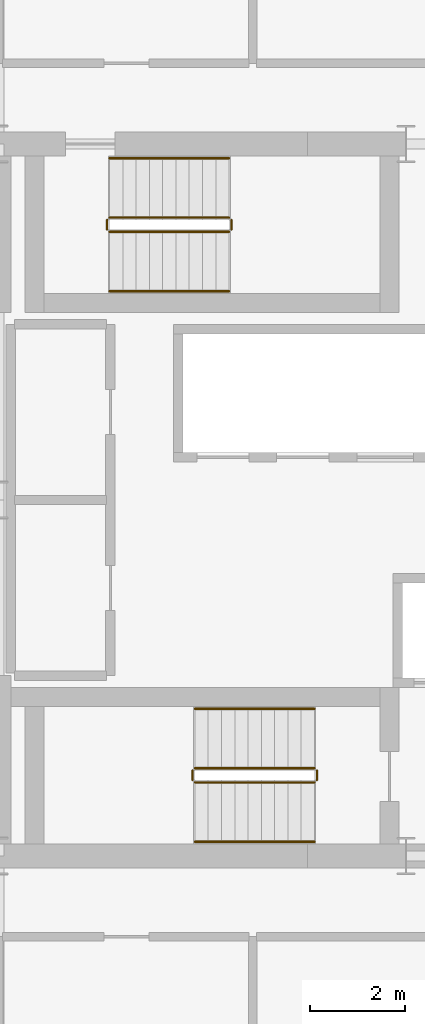
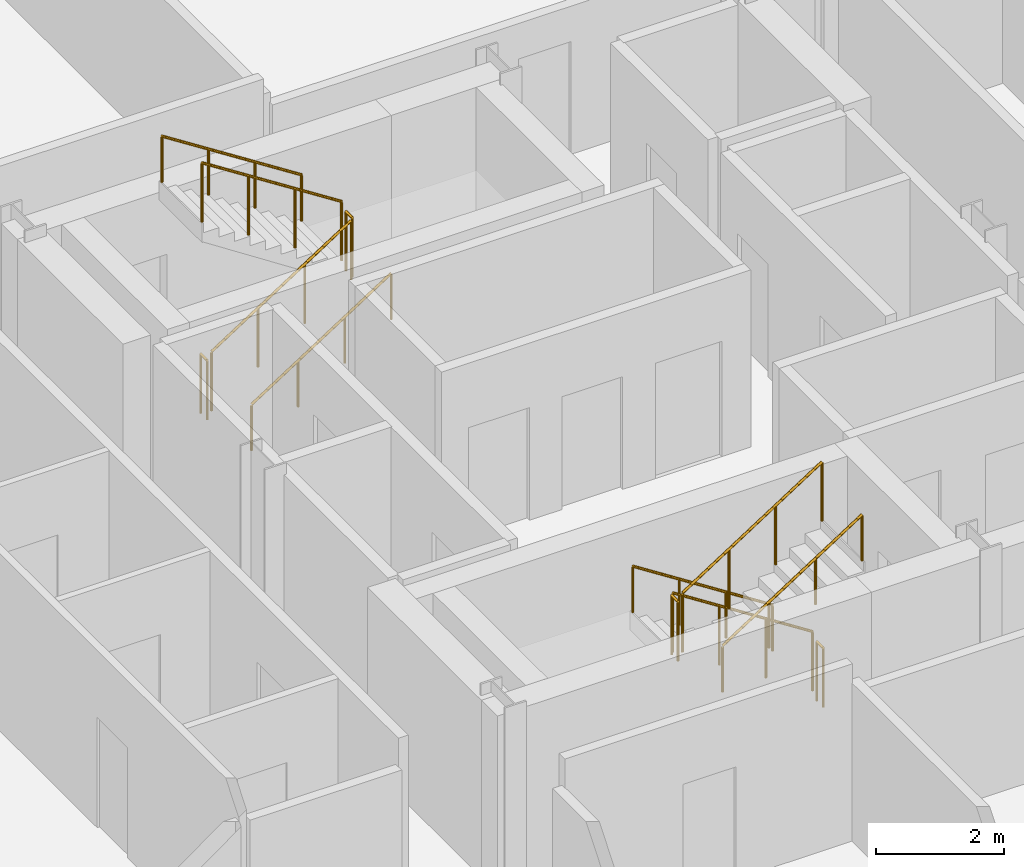
# One storey, part 20 of 21: 12 railings.
"""IFC4 building model written with IfcOpenShell, lengths in metres."""

from ifc_helpers import new_model, si_unit, direction, frame, origin, origin_2d, place, context, subcontext, project, spatial, circle, extrude, material, type_object, element, save


model = new_model("IFC4")

# Units and contexts
model_context = context("Model", 3, precision=1e-05, world=origin(), true_north=direction((0.0, 1.0)))
body_context = subcontext(model_context, "Body", "Model", "MODEL_VIEW")
ifc_project = project(units=[si_unit("LENGTHUNIT", "METRE"), si_unit("AREAUNIT", "SQUARE_METRE"), si_unit("VOLUMEUNIT", "CUBIC_METRE"), si_unit("PLANEANGLEUNIT", "RADIAN"), si_unit("MASSUNIT", "GRAM", prefix="KILO")], contexts=[model_context])

# Site, building, storey
site_placement = place(None, origin())
site = spatial("IfcSite", under=ifc_project, at=site_placement, CompositionType="ELEMENT")
building_placement = place(site_placement, origin())
building = spatial("IfcBuilding", under=site, at=building_placement, Name="Barlavira Tower and Art Museum", CompositionType="ELEMENT")
storey_placement = place(building_placement, frame((0.0, 0.0, 287.10009765625)))
storey = spatial("IfcBuildingStorey", under=building, at=storey_placement, Name="L75", CompositionType="ELEMENT", Elevation=287.10009765625)

# Railings
ifc_material = material(Name="Brushed stainless steel", Category="steel")
railing_type_1 = type_object("IfcRailingType", Name="Interior Void and Landing Guard Railing 1150", PredefinedType="GUARDRAIL", material=ifc_material)
railing_1_placement = place(storey_placement, frame((0.14990234375, -5.64990234375, 0.179931640625)))
element("IfcRailing", 1, at=railing_1_placement, inside=storey, type_object=railing_type_1, Name="L75 ST-T1 stair guard 1", PredefinedType="GUARDRAIL", context=body_context, shape_type="SweptSolid", body=[
    extrude(circle(Radius=0.02392578125, at=origin_2d()), frame((0.0, 0.0, 1.1259765625), z_axis=(-0.841199657755, 0.0, 0.540724639528), x_axis=(0.0, -1.0, 0.0)), (0.0, 0.0, 1.0), 2.995849609375),
    extrude(circle(Radius=0.02099609375, at=origin_2d()), origin(), (0.0, 0.0, 1.0), 1.101806640625),
    extrude(circle(Radius=0.02099609375, at=origin_2d()), frame((-0.840087890625, 0.0, 0.5400390625)), (0.0, 0.0, 1.0), 1.101806640625),
    extrude(circle(Radius=0.02099609375, at=origin_2d()), frame((-1.679931640625, 0.0, 1.079833984375)), (0.0, 0.0, 1.0), 1.101806640625),
    extrude(circle(Radius=0.02099609375, at=origin_2d()), frame((-2.52001953125, 0.0, 1.619873046875)), (0.0, 0.0, 1.0), 1.101806640625),
])
railing_2_placement = place(storey_placement, frame((-2.419921875, -5.699951171875, 1.7998046875)))
element("IfcRailing", 2, at=railing_2_placement, inside=storey, type_object=railing_type_1, Name="L75 ST-T1 stair guard 2", PredefinedType="GUARDRAIL", context=body_context, shape_type="SweptSolid", body=[
    extrude(circle(Radius=0.02392578125, at=origin_2d()), frame((0.0, 0.0, 1.1259765625), z_axis=(0.0, -1.0, 0.0), x_axis=(1.0, 0.0, 0.0)), (0.0, 0.0, 1.0), 0.199951171875),
    extrude(circle(Radius=0.02099609375, at=origin_2d()), origin(), (0.0, 0.0, 1.0), 1.101806640625),
    extrude(circle(Radius=0.02099609375, at=origin_2d()), frame((0.0, -0.199951171875, 0.0)), (0.0, 0.0, 1.0), 1.101806640625),
])
railing_3_placement = place(storey_placement, frame((-2.3701171875, -5.949951171875, 1.97998046875)))
element("IfcRailing", 3, at=railing_3_placement, inside=storey, type_object=railing_type_1, Name="L75 ST-T1 stair guard 3", PredefinedType="GUARDRAIL", context=body_context, shape_type="SweptSolid", body=[
    extrude(circle(Radius=0.02392578125, at=origin_2d()), frame((0.0, 0.0, 1.1259765625), z_axis=(0.841199657755, 0.0, 0.540724639528), x_axis=(0.0, 1.0, 0.0)), (0.0, 0.0, 1.0), 2.995849609375),
    extrude(circle(Radius=0.02099609375, at=origin_2d()), origin(), (0.0, 0.0, 1.0), 1.101806640625),
    extrude(circle(Radius=0.02099609375, at=origin_2d()), frame((0.840087890625, 0.0, 0.5400390625)), (0.0, 0.0, 1.0), 1.101806640625),
    extrude(circle(Radius=0.02099609375, at=origin_2d()), frame((1.679931640625, 0.0, 1.079833984375)), (0.0, 0.0, 1.0), 1.101806640625),
    extrude(circle(Radius=0.02099609375, at=origin_2d()), frame((2.52001953125, 0.0, 1.619873046875)), (0.0, 0.0, 1.0), 1.101806640625),
])
railing_4_placement = place(storey_placement, frame((0.199951171875, -5.699951171875, 0.0)))
element("IfcRailing", 4, at=railing_4_placement, inside=storey, type_object=railing_type_1, Name="L75 ST-T1 stair guard 4", PredefinedType="GUARDRAIL", context=body_context, shape_type="SweptSolid", body=[
    extrude(circle(Radius=0.02392578125, at=origin_2d()), frame((0.0, 0.0, 1.1259765625), z_axis=(0.0, -1.0, 0.0), x_axis=(1.0, 0.0, 0.0)), (0.0, 0.0, 1.0), 0.199951171875),
    extrude(circle(Radius=0.02099609375, at=origin_2d()), origin(), (0.0, 0.0, 1.0), 1.101806640625),
    extrude(circle(Radius=0.02099609375, at=origin_2d()), frame((0.0, -0.199951171875, 0.0)), (0.0, 0.0, 1.0), 1.101806640625),
])
railing_5_placement = place(storey_placement, frame((-4.169921875, 5.64990234375, 0.179931640625)))
element("IfcRailing", 5, at=railing_5_placement, inside=storey, type_object=railing_type_1, Name="L75 ST-T2 stair guard 1", PredefinedType="GUARDRAIL", context=body_context, shape_type="SweptSolid", body=[
    extrude(circle(Radius=0.02392578125, at=origin_2d()), frame((0.0, 0.0, 1.1259765625), z_axis=(0.841199657755, 0.0, 0.540724639528), x_axis=(0.0, 1.0, 0.0)), (0.0, 0.0, 1.0), 2.995849609375),
    extrude(circle(Radius=0.02099609375, at=origin_2d()), origin(), (0.0, 0.0, 1.0), 1.101806640625),
    extrude(circle(Radius=0.02099609375, at=origin_2d()), frame((0.840087890625, 0.0, 0.5400390625)), (0.0, 0.0, 1.0), 1.101806640625),
    extrude(circle(Radius=0.02099609375, at=origin_2d()), frame((1.679931640625, 0.0, 1.079833984375)), (0.0, 0.0, 1.0), 1.101806640625),
    extrude(circle(Radius=0.02099609375, at=origin_2d()), frame((2.52001953125, 0.0, 1.619873046875)), (0.0, 0.0, 1.0), 1.101806640625),
])
railing_6_placement = place(storey_placement, frame((-1.60009765625, 5.699951171875, 1.7998046875)))
element("IfcRailing", 6, at=railing_6_placement, inside=storey, type_object=railing_type_1, Name="L75 ST-T2 stair guard 2", PredefinedType="GUARDRAIL", context=body_context, shape_type="SweptSolid", body=[
    extrude(circle(Radius=0.02392578125, at=origin_2d()), frame((0.0, 0.0, 1.1259765625), z_axis=(0.0, 1.0, 0.0), x_axis=(-1.0, 0.0, 0.0)), (0.0, 0.0, 1.0), 0.199951171875),
    extrude(circle(Radius=0.02099609375, at=origin_2d()), origin(), (0.0, 0.0, 1.0), 1.101806640625),
    extrude(circle(Radius=0.02099609375, at=origin_2d()), frame((0.0, 0.199951171875, 0.0)), (0.0, 0.0, 1.0), 1.101806640625),
])
railing_7_placement = place(storey_placement, frame((-1.64990234375, 5.949951171875, 1.97998046875)))
element("IfcRailing", 7, at=railing_7_placement, inside=storey, type_object=railing_type_1, Name="L75 ST-T2 stair guard 3", PredefinedType="GUARDRAIL", context=body_context, shape_type="SweptSolid", body=[
    extrude(circle(Radius=0.02392578125, at=origin_2d()), frame((0.0, 0.0, 1.1259765625), z_axis=(-0.841199657755, 0.0, 0.540724639528), x_axis=(0.0, -1.0, 0.0)), (0.0, 0.0, 1.0), 2.995849609375),
    extrude(circle(Radius=0.02099609375, at=origin_2d()), origin(), (0.0, 0.0, 1.0), 1.101806640625),
    extrude(circle(Radius=0.02099609375, at=origin_2d()), frame((-0.840087890625, 0.0, 0.5400390625)), (0.0, 0.0, 1.0), 1.101806640625),
    extrude(circle(Radius=0.02099609375, at=origin_2d()), frame((-1.679931640625, 0.0, 1.079833984375)), (0.0, 0.0, 1.0), 1.101806640625),
    extrude(circle(Radius=0.02099609375, at=origin_2d()), frame((-2.52001953125, 0.0, 1.619873046875)), (0.0, 0.0, 1.0), 1.101806640625),
])
railing_8_placement = place(storey_placement, frame((-4.219970703125, 5.699951171875, 0.0)))
element("IfcRailing", 8, at=railing_8_placement, inside=storey, type_object=railing_type_1, Name="L75 ST-T2 stair guard 4", PredefinedType="GUARDRAIL", context=body_context, shape_type="SweptSolid", body=[
    extrude(circle(Radius=0.02392578125, at=origin_2d()), frame((0.0, 0.0, 1.1259765625), z_axis=(0.0, 1.0, 0.0), x_axis=(-1.0, 0.0, 0.0)), (0.0, 0.0, 1.0), 0.199951171875),
    extrude(circle(Radius=0.02099609375, at=origin_2d()), origin(), (0.0, 0.0, 1.0), 1.101806640625),
    extrude(circle(Radius=0.02099609375, at=origin_2d()), frame((0.0, 0.199951171875, 0.0)), (0.0, 0.0, 1.0), 1.101806640625),
])
railing_type_2 = type_object("IfcRailingType", Name="Stair Pitch Tubular Steel Handrail 920", PredefinedType="HANDRAIL", material=ifc_material)
railing_9_placement = place(storey_placement, frame((0.14990234375, -4.39990234375, 0.179931640625)))
element("IfcRailing", 9, at=railing_9_placement, inside=storey, type_object=railing_type_2, Name="L75 ST-T1 stair handrail 1", PredefinedType="HANDRAIL", context=body_context, shape_type="SweptSolid", body=[
    extrude(circle(Radius=0.02392578125, at=origin_2d()), frame((0.0, 0.0, 0.8759765625), z_axis=(-0.841199657755, 0.0, 0.540724639528), x_axis=(0.0, -1.0, 0.0)), (0.0, 0.0, 1.0), 2.995849609375),
    extrude(circle(Radius=0.02099609375, at=origin_2d()), origin(), (0.0, 0.0, 1.0), 0.851806640625),
    extrude(circle(Radius=0.02099609375, at=origin_2d()), frame((-0.840087890625, 0.0, 0.5400390625)), (0.0, 0.0, 1.0), 0.851806640625),
    extrude(circle(Radius=0.02099609375, at=origin_2d()), frame((-1.679931640625, 0.0, 1.079833984375)), (0.0, 0.0, 1.0), 0.851806640625),
    extrude(circle(Radius=0.02099609375, at=origin_2d()), frame((-2.52001953125, 0.0, 1.619873046875)), (0.0, 0.0, 1.0), 0.851806640625),
])
for number, where, name in (
    (10, (-2.3701171875, -7.199951171875, 1.97998046875), "L75 ST-T1 stair handrail 2"),
    (11, (-4.169921875, 4.39990234375, 0.179931640625), "L75 ST-T2 stair handrail 1"),
):
    element("IfcRailing", number, at=place(storey_placement, frame(where)), inside=storey, type_object=railing_type_2, Name=name, PredefinedType="HANDRAIL", context=body_context, shape_type="SweptSolid", body=[
        extrude(circle(Radius=0.02392578125, at=origin_2d()), frame((0.0, 0.0, 0.8759765625), z_axis=(0.841199657755, 0.0, 0.540724639528), x_axis=(0.0, 1.0, 0.0)), (0.0, 0.0, 1.0), 2.995849609375),
        extrude(circle(Radius=0.02099609375, at=origin_2d()), origin(), (0.0, 0.0, 1.0), 0.851806640625),
        extrude(circle(Radius=0.02099609375, at=origin_2d()), frame((0.840087890625, 0.0, 0.5400390625)), (0.0, 0.0, 1.0), 0.851806640625),
        extrude(circle(Radius=0.02099609375, at=origin_2d()), frame((1.679931640625, 0.0, 1.079833984375)), (0.0, 0.0, 1.0), 0.851806640625),
        extrude(circle(Radius=0.02099609375, at=origin_2d()), frame((2.52001953125, 0.0, 1.619873046875)), (0.0, 0.0, 1.0), 0.851806640625),
    ])
railing_10_placement = place(storey_placement, frame((-1.64990234375, 7.199951171875, 1.97998046875)))
element("IfcRailing", 12, at=railing_10_placement, inside=storey, type_object=railing_type_2, Name="L75 ST-T2 stair handrail 2", PredefinedType="HANDRAIL", context=body_context, shape_type="SweptSolid", body=[
    extrude(circle(Radius=0.02392578125, at=origin_2d()), frame((0.0, 0.0, 0.8759765625), z_axis=(-0.841199657755, 0.0, 0.540724639528), x_axis=(0.0, -1.0, 0.0)), (0.0, 0.0, 1.0), 2.995849609375),
    extrude(circle(Radius=0.02099609375, at=origin_2d()), origin(), (0.0, 0.0, 1.0), 0.851806640625),
    extrude(circle(Radius=0.02099609375, at=origin_2d()), frame((-0.840087890625, 0.0, 0.5400390625)), (0.0, 0.0, 1.0), 0.851806640625),
    extrude(circle(Radius=0.02099609375, at=origin_2d()), frame((-1.679931640625, 0.0, 1.079833984375)), (0.0, 0.0, 1.0), 0.851806640625),
    extrude(circle(Radius=0.02099609375, at=origin_2d()), frame((-2.52001953125, 0.0, 1.619873046875)), (0.0, 0.0, 1.0), 0.851806640625),
])

save(model, "model.ifc")
